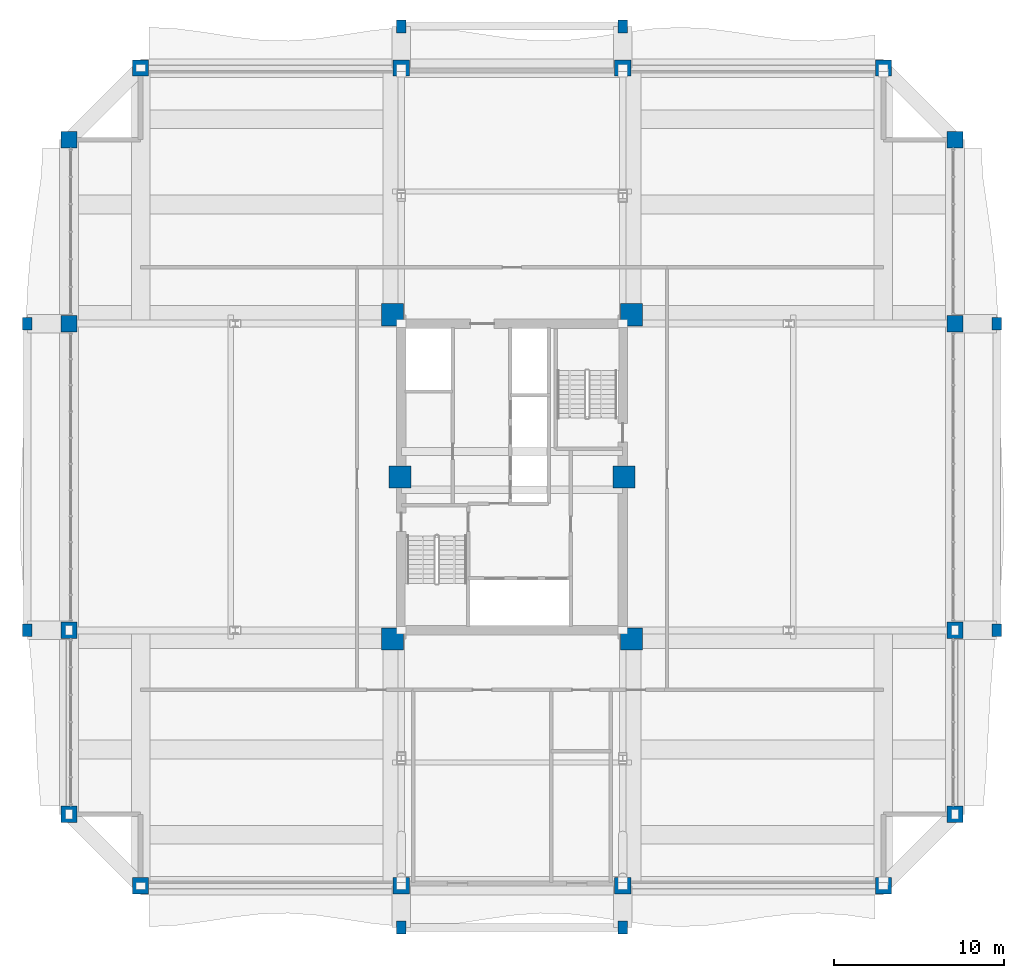
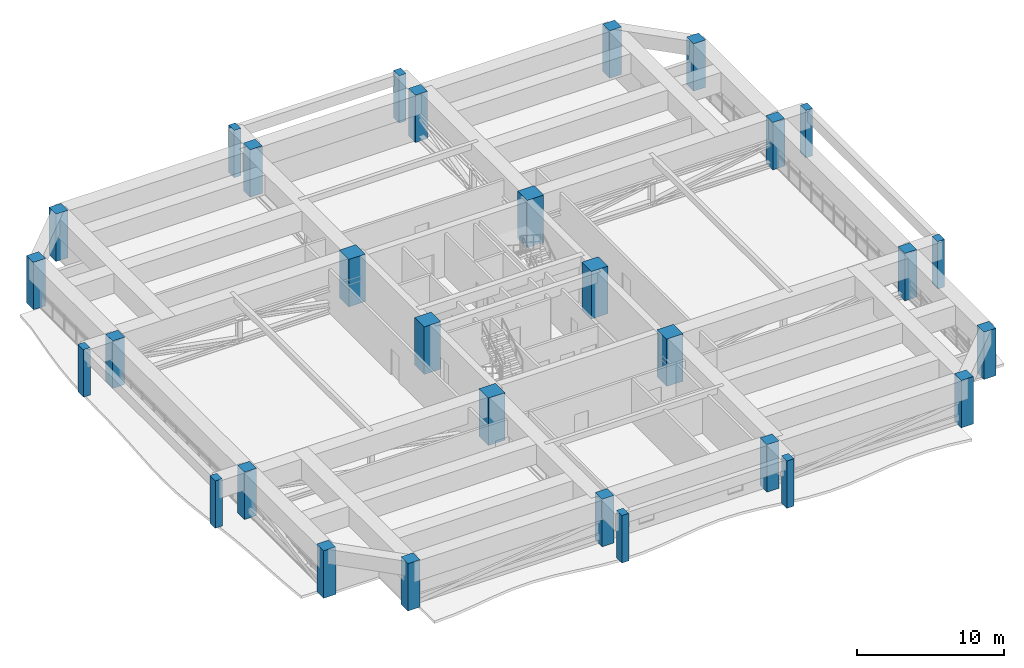
# One storey, part 1 of 35: 30 columns.
"""IFC4 building model written with IfcOpenShell, lengths in metres."""

from ifc_helpers import new_model, si_unit, direction, frame, origin, origin_2d, place, context, subcontext, project, spatial, rectangle, extrude, source, transform, mapped, material, material_profile, profile_set, type_object, element, save


model = new_model("IFC4")

# Units and contexts
model_context = context("Model", 3, precision=1e-05, world=origin(), true_north=direction((0.0, 1.0)))
body_context = subcontext(model_context, "Body", "Model", "MODEL_VIEW")
ifc_project = project(units=[si_unit("LENGTHUNIT", "METRE"), si_unit("AREAUNIT", "SQUARE_METRE"), si_unit("VOLUMEUNIT", "CUBIC_METRE"), si_unit("PLANEANGLEUNIT", "RADIAN"), si_unit("MASSUNIT", "GRAM", prefix="KILO")], contexts=[model_context])

# Site, building, storey
site_placement = place(None, origin())
site = spatial("IfcSite", under=ifc_project, at=site_placement, CompositionType="ELEMENT")
building_placement = place(site_placement, origin())
building = spatial("IfcBuilding", under=site, at=building_placement, Name="Saelheon Loggia Tower", CompositionType="ELEMENT")
storey_placement = place(building_placement, frame((0.0, 0.0, 144.75)))
storey = spatial("IfcBuildingStorey", under=building, at=storey_placement, Name="L46", CompositionType="ELEMENT", Elevation=144.75)

# Columns
ifc_material_1 = material(Name="Concrete C60/75", Category="concrete")
ifc_material_profile_1 = material_profile(ifc_material_1, rectangle(XDim=1.300048828125, YDim=1.300048828125, at=origin_2d()), Name="RC-1300x1300")
ifc_profile_set_1 = profile_set([ifc_material_profile_1], Name="Concrete C60/75")
column_type_1 = type_object("IfcColumnType", Name="Col_Core_RC1300", PredefinedType="COLUMN", material=ifc_profile_set_1)
shared_shape_1 = source(origin(), body_context, "Body", "SweptSolid", [
    extrude(rectangle(XDim=1.300048828125, YDim=1.300048828125, at=origin_2d()), origin(), (0.0, 0.0, 1.0), 3.949951171875),
])
for number, where, z_axis, x_axis, name in (
    (1, (30.97998046875, 17.47998046875, 0.0), (0.0, 0.0, 1.0), (1.0, 0.0, 0.0), "L46 Core Column CR-SW"),
    (2, (45.02001953125, 17.47998046875, 0.0), (0.0, 0.0, 1.0), (1.0, 0.0, 0.0), "L46 Core Column CR-SE"),
    (3, (30.97998046875, 36.52001953125, 0.0), (0.0, 0.0, 1.0), (1.0, 0.0, 0.0), "L46 Core Column CR-NW"),
    (4, (45.02001953125, 36.52001953125, 0.0), (0.0, 0.0, 1.0), (1.0, 0.0, 0.0), "L46 Core Column CR-NE"),
    (5, (31.419921875, 27.0, 0.0), (0.0, 0.0, 1.0), (1.0, 0.0, 0.0), "L46 Core Column CR-MW"),
    (6, (44.580078125, 27.0, 0.0), (0.0, 0.0, 1.0), (1.0, 0.0, 0.0), "L46 Core Column CR-ME"),
):
    element("IfcColumn", number, at=place(storey_placement, frame(where, z_axis=z_axis, x_axis=x_axis)), inside=storey, type_object=column_type_1, Name=name, PredefinedType="COLUMN", context=body_context, shape_type="MappedRepresentation", body=[
        mapped(shared_shape_1, transform((0.0, 0.0, 0.0), scale=1.0)),
    ])
ifc_material_2 = material(Name="Concrete C50/60", Category="concrete")
ifc_material_profile_2 = material_profile(ifc_material_2, rectangle(XDim=0.949951171875, YDim=0.949951171875, at=origin_2d()), Name="RC-950x950")
ifc_profile_set_2 = profile_set([ifc_material_profile_2], Name="Concrete C50/60")
column_type_2 = type_object("IfcColumnType", Name="Col_Perim_RC950", PredefinedType="COLUMN", material=ifc_profile_set_2)
shared_shape_2 = source(origin(), body_context, "Body", "SweptSolid", [
    extrude(rectangle(XDim=0.949951171875, YDim=0.949951171875, at=origin_2d()), origin(), (0.0, 0.0, 1.0), 3.949951171875),
])
for number, where, z_axis, x_axis, name in (
    (7, (16.199951171875, 3.0, 0.0), (0.0, 0.0, 1.0), (1.0, 0.0, 0.0), "L46 Perimeter Column TP-S1"),
    (8, (31.5, 3.0, 0.0), (0.0, 0.0, 1.0), (1.0, 0.0, 0.0), "L46 Perimeter Column TP-SA"),
    (9, (44.5, 3.0, 0.0), (0.0, 0.0, 1.0), (1.0, 0.0, 0.0), "L46 Perimeter Column TP-SB"),
    (10, (59.800048828125, 3.0, 0.0), (0.0, 0.0, 1.0), (1.0, 0.0, 0.0), "L46 Perimeter Column TP-S2"),
    (11, (64.0, 7.199951171875, 0.0), (0.0, 0.0, 1.0), (1.0, 0.0, 0.0), "L46 Perimeter Column TP-E1"),
    (12, (64.0, 18.0, 0.0), (0.0, 0.0, 1.0), (1.0, 0.0, 0.0), "L46 Perimeter Column TP-EA"),
    (13, (64.0, 36.0, 0.0), (0.0, 0.0, 1.0), (1.0, 0.0, 0.0), "L46 Perimeter Column TP-EB"),
    (14, (64.0, 46.800048828125, 0.0), (0.0, 0.0, 1.0), (1.0, 0.0, 0.0), "L46 Perimeter Column TP-E2"),
    (15, (59.800048828125, 51.0, 0.0), (0.0, 0.0, 1.0), (1.0, 0.0, 0.0), "L46 Perimeter Column TP-N2"),
    (16, (44.5, 51.0, 0.0), (0.0, 0.0, 1.0), (1.0, 0.0, 0.0), "L46 Perimeter Column TP-NB"),
    (17, (31.5, 51.0, 0.0), (0.0, 0.0, 1.0), (1.0, 0.0, 0.0), "L46 Perimeter Column TP-NA"),
    (18, (16.199951171875, 51.0, 0.0), (0.0, 0.0, 1.0), (1.0, 0.0, 0.0), "L46 Perimeter Column TP-N1"),
    (19, (12.0, 46.800048828125, 0.0), (0.0, 0.0, 1.0), (1.0, 0.0, 0.0), "L46 Perimeter Column TP-W2"),
    (20, (12.0, 36.0, 0.0), (0.0, 0.0, 1.0), (1.0, 0.0, 0.0), "L46 Perimeter Column TP-WB"),
    (21, (12.0, 18.0, 0.0), (0.0, 0.0, 1.0), (1.0, 0.0, 0.0), "L46 Perimeter Column TP-WA"),
    (22, (12.0, 7.199951171875, 0.0), (0.0, 0.0, 1.0), (1.0, 0.0, 0.0), "L46 Perimeter Column TP-W1"),
):
    element("IfcColumn", number, at=place(storey_placement, frame(where, z_axis=z_axis, x_axis=x_axis)), inside=storey, type_object=column_type_2, Name=name, PredefinedType="COLUMN", context=body_context, shape_type="MappedRepresentation", body=[
        mapped(shared_shape_2, transform((0.0, 0.0, 0.0), scale=1.0)),
    ])
ifc_material_3 = material(Name="Precast Concrete C45/55", Category="concrete")
ifc_material_profile_3 = material_profile(ifc_material_3, rectangle(XDim=0.550048828125, YDim=0.75, at=origin_2d()), Name="RC-550x750")
ifc_profile_set_3 = profile_set([ifc_material_profile_3], Name="Precast Concrete C45/55")
column_type_3 = type_object("IfcColumnType", Name="Col_Loggia_Pilaster_750", PredefinedType="PILASTER", material=ifc_profile_set_3)
shared_shape_3 = source(origin(), body_context, "Body", "SweptSolid", [
    extrude(rectangle(XDim=0.550048828125, YDim=0.75, at=origin_2d()), origin(), (0.0, 0.0, 1.0), 3.949951171875),
])
for number, where, z_axis, x_axis, name in (
    (23, (31.5, 0.550048828125, 0.0), (0.0, 0.0, 1.0), (1.0, 0.0, 0.0), "L46 Loggia Frame Pilaster LP-S1"),
    (24, (44.5, 0.550048828125, 0.0), (0.0, 0.0, 1.0), (1.0, 0.0, 0.0), "L46 Loggia Frame Pilaster LP-S2"),
    (25, (31.5, 53.449951171875, 0.0), (0.0, 0.0, 1.0), (1.0, 0.0, 0.0), "L46 Loggia Frame Pilaster LP-N1"),
    (26, (44.5, 53.449951171875, 0.0), (0.0, 0.0, 1.0), (1.0, 0.0, 0.0), "L46 Loggia Frame Pilaster LP-N2"),
    (27, (66.449951171875, 18.0, 0.0), (0.0, 0.0, 1.0), (1.0, 0.0, 0.0), "L46 Loggia Frame Pilaster LP-E1"),
    (28, (66.449951171875, 36.0, 0.0), (0.0, 0.0, 1.0), (1.0, 0.0, 0.0), "L46 Loggia Frame Pilaster LP-E2"),
    (29, (9.550048828125, 18.0, 0.0), (0.0, 0.0, 1.0), (1.0, 0.0, 0.0), "L46 Loggia Frame Pilaster LP-W1"),
    (30, (9.550048828125, 36.0, 0.0), (0.0, 0.0, 1.0), (1.0, 0.0, 0.0), "L46 Loggia Frame Pilaster LP-W2"),
):
    element("IfcColumn", number, at=place(storey_placement, frame(where, z_axis=z_axis, x_axis=x_axis)), inside=storey, type_object=column_type_3, Name=name, PredefinedType="PILASTER", context=body_context, shape_type="MappedRepresentation", body=[
        mapped(shared_shape_3, transform((0.0, 0.0, 0.0), scale=1.0)),
    ])

save(model, "model.ifc")
